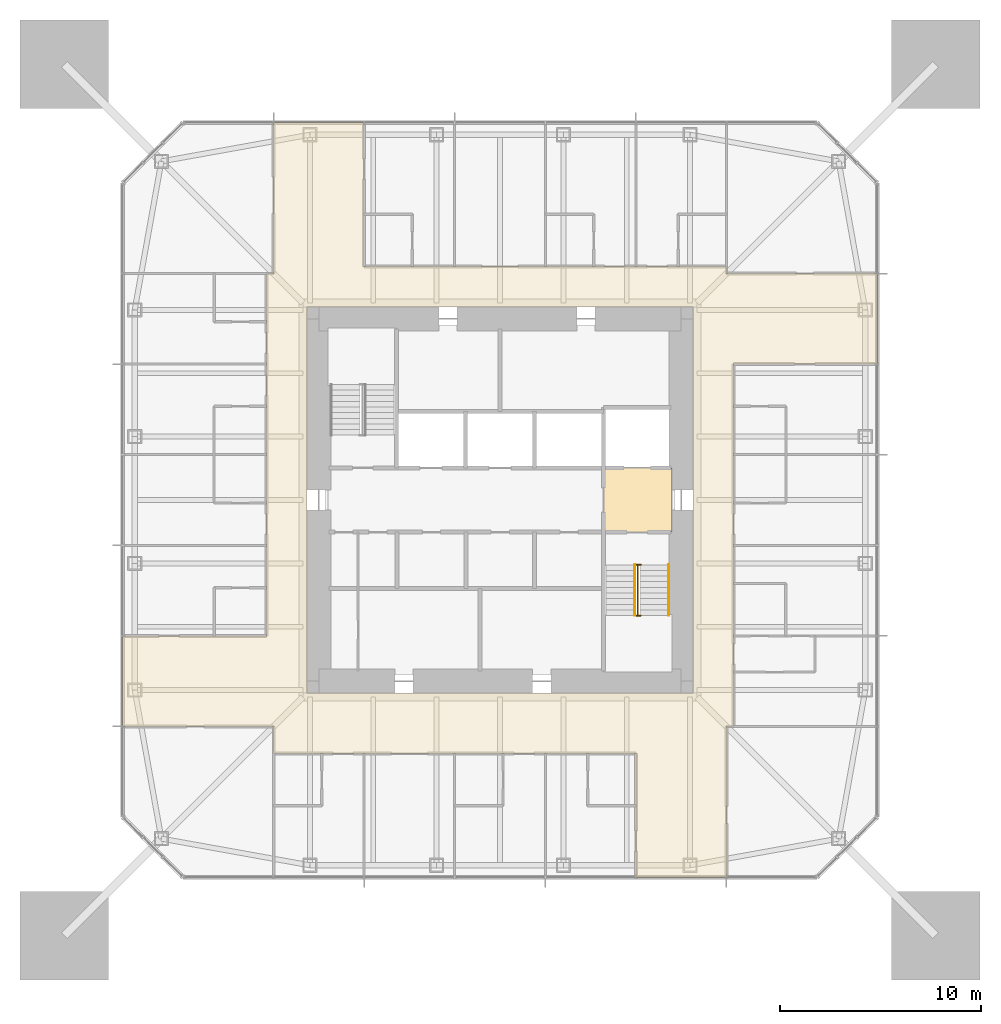
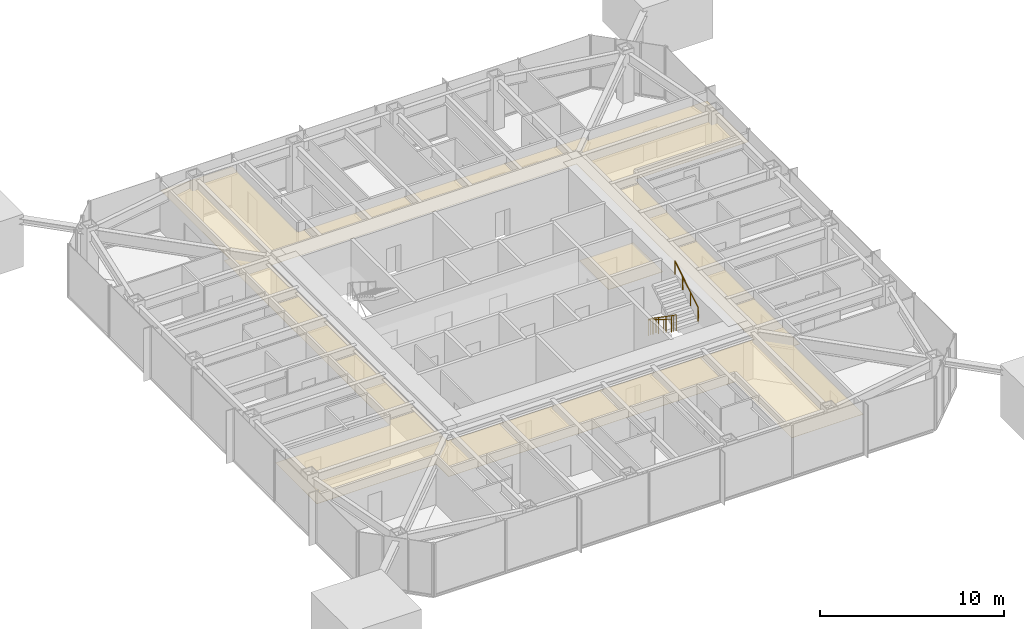
# One storey, part 11 of 12: 3 railings, 2 coverings.
"""IFC4 building model written with IfcOpenShell, lengths in metres."""

from ifc_helpers import new_model, si_unit, direction, frame, origin, origin_2d, place, context, subcontext, project, spatial, polyline, circle, outline, extrude, material, layer, layer_set, constituent, constituent_set, type_object, element, save


model = new_model("IFC4")

# Units and contexts
model_context = context("Model", 3, precision=1e-05, world=origin(), true_north=direction((0.0, 1.0)))
body_context = subcontext(model_context, "Body", "Model", "MODEL_VIEW")
ifc_project = project(units=[si_unit("LENGTHUNIT", "METRE"), si_unit("AREAUNIT", "SQUARE_METRE"), si_unit("VOLUMEUNIT", "CUBIC_METRE"), si_unit("PLANEANGLEUNIT", "RADIAN"), si_unit("MASSUNIT", "GRAM", prefix="KILO")], contexts=[model_context])

# Site, building, storey
site_placement = place(None, origin())
site = spatial("IfcSite", under=ifc_project, at=site_placement, CompositionType="ELEMENT")
building_placement = place(site_placement, origin())
building = spatial("IfcBuilding", under=site, at=building_placement, Name="Iwan Alto Co-Living Towers", CompositionType="ELEMENT")
storey_placement = place(building_placement, frame((0.0, 0.0, 153.0)))
storey = spatial("IfcBuildingStorey", under=building, at=storey_placement, Name="L41", CompositionType="ELEMENT", Elevation=153.0)

# Covering
ifc_material_1 = material(Name="Mineral fibre acoustic tiles on steel grid", Category="steel")
ifc_layer_1 = layer(ifc_material_1, 0.02001953125)
ifc_layer_set_1 = layer_set([ifc_layer_1], Name="ACOUSTIC TILE CEILING 20")
covering_type_1 = type_object("IfcCoveringType", Name="ACOUSTIC TILE CEILING 20", PredefinedType="CEILING", material=ifc_layer_set_1)
covering_1_placement = place(storey_placement, frame((0.0, 0.0, 2.60009765625)))
element("IfcCovering", 1, at=covering_1_placement, inside=storey, type_object=covering_type_1, Name="Ceiling Firefighting lobby L41", PredefinedType="CEILING", context=body_context, shape_type="SweptSolid", body=[
    extrude(outline(polyline([(5.14990234375, -1.60009765625), (5.14990234375, 1.60009765625), (8.550048828125, 1.60009765625), (8.550048828125, -1.60009765625), (5.14990234375, -1.60009765625)])), origin(), (0.0, 0.0, 1.0), 0.02001953125),
])

# Railings
ifc_material_2 = material(Name="Steel ASTM A500 Gr C", Category="steel")
ifc_constituent_1 = constituent(ifc_material_2, Name="Rails and posts", Category="Framing")
ifc_material_3 = material(Name="Steel ASTM A36", Category="steel")
ifc_constituent_2 = constituent(ifc_material_3, Name="Bar infill", Category="Infill")
ifc_constituent_set = constituent_set(constituents=[ifc_constituent_1, ifc_constituent_2], Name="STAIR GUARD 1100")
railing_type_1 = type_object("IfcRailingType", Name="STAIR GUARD 1100", PredefinedType="GUARDRAIL", material=ifc_constituent_set)
railing_1_placement = place(storey_placement, frame((6.85009765625, -3.219970703125, 0.0)))
element("IfcRailing", 2, at=railing_1_placement, inside=storey, type_object=railing_type_1, Name="Stair T1-S2 well guard L41", PredefinedType="GUARDRAIL", context=body_context, shape_type="SweptSolid", body=[
    extrude(circle(Radius=0.02392578125, at=origin_2d()), frame((0.0, 0.0, 1.076171875), z_axis=(0.0, -0.821372036852, 0.570392826987), x_axis=(1.0, 0.0, 0.0)), (0.0, 0.0, 1.0), 3.068115234375),
    extrude(circle(Radius=0.02392578125, at=origin_2d()), frame((-0.150146484375, 0.0, 1.076171875), z_axis=(1.0, 0.0, 0.0), x_axis=(0.0, 1.0, 0.0)), (0.0, 0.0, 1.0), 0.300048828125),
    extrude(circle(Radius=0.02392578125, at=origin_2d()), frame((-0.150146484375, -2.52001953125, 2.826171875), z_axis=(1.0, 0.0, 0.0), x_axis=(0.0, 1.0, 0.0)), (0.0, 0.0, 1.0), 0.300048828125),
    extrude(circle(Radius=0.02099609375, at=origin_2d()), origin(), (0.0, 0.0, 1.0), 1.052001953125),
    extrude(circle(Radius=0.02099609375, at=origin_2d()), frame((0.0, -0.840087890625, 0.583251953125)), (0.0, 0.0, 1.0), 1.052001953125),
    extrude(circle(Radius=0.02099609375, at=origin_2d()), frame((0.0, -1.679931640625, 1.166748046875)), (0.0, 0.0, 1.0), 1.052001953125),
    extrude(circle(Radius=0.02099609375, at=origin_2d()), frame((0.0, -2.52001953125, 1.75)), (0.0, 0.0, 1.0), 1.052001953125),
    extrude(circle(Radius=0.02099609375, at=origin_2d()), frame((-0.150146484375, 0.0, 0.0)), (0.0, 0.0, 1.0), 1.052001953125),
    extrude(circle(Radius=0.02099609375, at=origin_2d()), frame((0.14990234375, 0.0, 0.0)), (0.0, 0.0, 1.0), 1.052001953125),
    extrude(circle(Radius=0.02099609375, at=origin_2d()), frame((-0.150146484375, -2.52001953125, 1.75)), (0.0, 0.0, 1.0), 1.052001953125),
    extrude(circle(Radius=0.02099609375, at=origin_2d()), frame((0.14990234375, -2.52001953125, 1.75)), (0.0, 0.0, 1.0), 1.052001953125),
])
ifc_material_4 = material(Name="Steel ASTM A500 Gr C", Category="steel")
railing_type_2 = type_object("IfcRailingType", Name="STAIR HANDRAIL 900", PredefinedType="HANDRAIL", material=ifc_material_4)
railing_2_placement = place(storey_placement, frame((6.699951171875, -3.219970703125, 0.175048828125)))
element("IfcRailing", 3, at=railing_2_placement, inside=storey, type_object=railing_type_2, Name="Stair T1-S2 handrail 1 L41", PredefinedType="HANDRAIL", context=body_context, shape_type="SweptSolid", body=[
    extrude(circle(Radius=0.02392578125, at=origin_2d()), frame((0.0, 0.0, 0.8759765625), z_axis=(0.0, -0.848007534815, 0.529984170421), x_axis=(1.0, 0.0, 0.0)), (0.0, 0.0, 1.0), 2.9716796875),
    extrude(circle(Radius=0.02099609375, at=origin_2d()), origin(), (0.0, 0.0, 1.0), 0.851806640625),
    extrude(circle(Radius=0.02099609375, at=origin_2d()), frame((0.0, -0.840087890625, 0.52490234375)), (0.0, 0.0, 1.0), 0.851806640625),
    extrude(circle(Radius=0.02099609375, at=origin_2d()), frame((0.0, -1.679931640625, 1.050048828125)), (0.0, 0.0, 1.0), 0.851806640625),
    extrude(circle(Radius=0.02099609375, at=origin_2d()), frame((0.0, -2.52001953125, 1.574951171875)), (0.0, 0.0, 1.0), 0.851806640625),
])
railing_3_placement = place(storey_placement, frame((8.3798828125, -5.739990234375, 1.925048828125)))
element("IfcRailing", 4, at=railing_3_placement, inside=storey, type_object=railing_type_2, Name="Stair T1-S2 handrail 2 L41", PredefinedType="HANDRAIL", context=body_context, shape_type="SweptSolid", body=[
    extrude(circle(Radius=0.02392578125, at=origin_2d()), frame((0.0, 0.0, 0.8759765625), z_axis=(0.0, 0.848007534815, 0.529984170421), x_axis=(-1.0, 0.0, 0.0)), (0.0, 0.0, 1.0), 2.9716796875),
    extrude(circle(Radius=0.02099609375, at=origin_2d()), origin(), (0.0, 0.0, 1.0), 0.851806640625),
    extrude(circle(Radius=0.02099609375, at=origin_2d()), frame((0.0, 0.840087890625, 0.52490234375)), (0.0, 0.0, 1.0), 0.851806640625),
    extrude(circle(Radius=0.02099609375, at=origin_2d()), frame((0.0, 1.679931640625, 1.050048828125)), (0.0, 0.0, 1.0), 0.851806640625),
    extrude(circle(Radius=0.02099609375, at=origin_2d()), frame((0.0, 2.52001953125, 1.574951171875)), (0.0, 0.0, 1.0), 0.851806640625),
])

# Covering
ifc_material_5 = material(Name="Gypsum plasterboard on steel grid", Category="steel")
ifc_layer_2 = layer(ifc_material_5, 0.014892578125)
ifc_layer_set_2 = layer_set([ifc_layer_2], Name="SUSPENDED PLASTERBOARD CEILING 15")
covering_type_2 = type_object("IfcCoveringType", Name="SUSPENDED PLASTERBOARD CEILING 15", PredefinedType="CEILING", material=ifc_layer_set_2)
covering_2_placement = place(storey_placement, frame((0.0, 0.0, 2.60009765625)))
element("IfcCovering", 5, at=covering_2_placement, inside=storey, type_object=covering_type_2, Name="Ceiling Corridor L41", PredefinedType="CEILING", context=body_context, shape_type="SweptSolid", body=[
    extrude(outline(polyline([(-18.75, -6.75), (-11.60009765625, -6.75), (-11.60009765625, 11.25), (-11.25, 11.25), (-11.25, 11.60009765625), (-11.25, 18.75), (-6.75, 18.75), (-6.75, 11.60009765625), (11.25, 11.60009765625), (11.25, 11.25), (11.60009765625, 11.25), (18.75, 11.25), (18.75, 6.75), (11.60009765625, 6.75), (11.60009765625, -11.25), (11.25, -11.25), (11.25, -12.60009765625), (11.25, -18.75), (6.75, -18.75), (6.75, -12.60009765625), (-11.25, -12.60009765625), (-11.25, -11.25), (-11.60009765625, -11.25), (-18.75, -11.25), (-18.75, -6.75)]), holes=[polyline([(9.60009765625, 9.60009765625), (-9.60009765625, 9.60009765625), (-9.60009765625, -9.60009765625), (9.60009765625, -9.60009765625), (9.60009765625, 9.60009765625)])]), origin(), (0.0, 0.0, 1.0), 0.014892578125),
])

save(model, "model.ifc")
